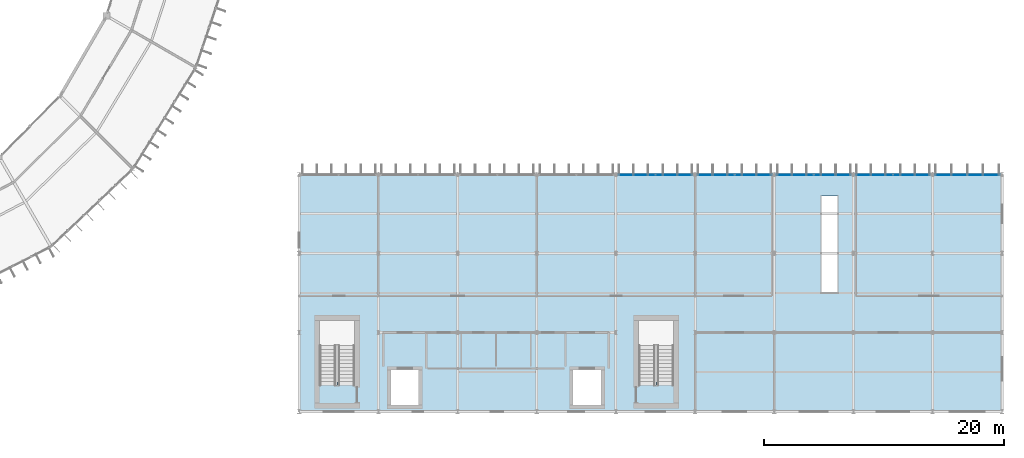
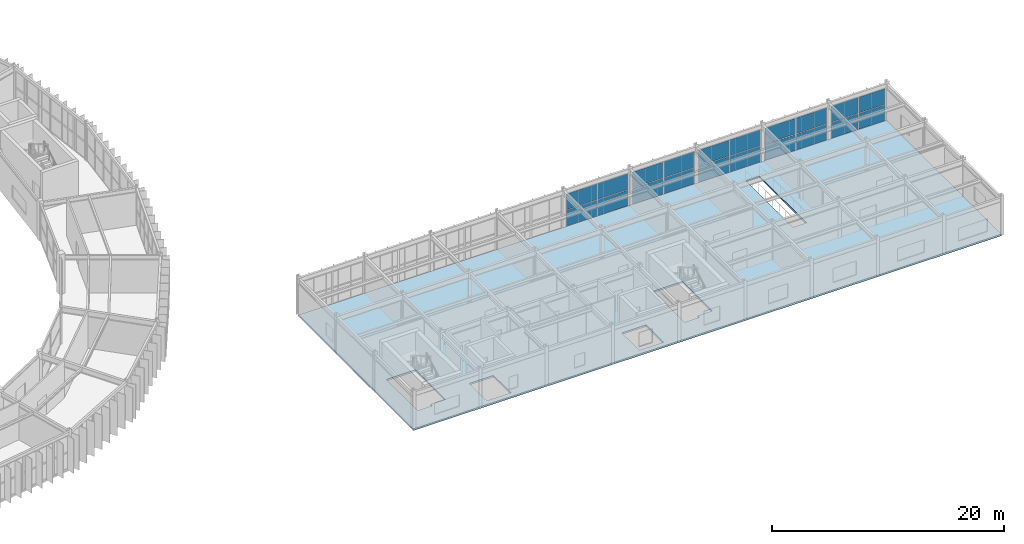
# One storey, part 96 of 130: 20 plates, 1 slab, 5 elements without a shape of their own.
"""IFC4 building model written with IfcOpenShell, lengths in metres."""

from ifc_helpers import new_model, si_unit, direction, frame, origin, origin_2d, place, context, subcontext, project, spatial, polyline, rectangle, outline, extrude, material, layer, layer_set, type_object, element, aggregate, save


model = new_model("IFC4")

# Units and contexts
model_context = context("Model", 3, precision=1e-05, world=origin(), true_north=direction((0.0, 1.0)))
body_context = subcontext(model_context, "Body", "Model", "MODEL_VIEW")
ifc_project = project(units=[si_unit("LENGTHUNIT", "METRE"), si_unit("AREAUNIT", "SQUARE_METRE"), si_unit("VOLUMEUNIT", "CUBIC_METRE"), si_unit("PLANEANGLEUNIT", "RADIAN"), si_unit("MASSUNIT", "GRAM", prefix="KILO")], contexts=[model_context])

# Site, building, storey
site_placement = place(None, origin())
site = spatial("IfcSite", under=ifc_project, at=site_placement, CompositionType="ELEMENT")
building_placement = place(site_placement, origin())
building = spatial("IfcBuilding", under=site, at=building_placement, Name="Karori Crest Natural Sciences Institute", CompositionType="ELEMENT")
storey_placement = place(building_placement, frame((0.0, 0.0, 17.5)))
storey = spatial("IfcBuildingStorey", under=building, at=storey_placement, Name="L04", CompositionType="ELEMENT", Elevation=17.5)

# Curtain wall, plates
ifc_material_1 = material(Name="Anodised architectural aluminium 6063-T6", Category="aluminium")
curtain_wall_type = type_object("IfcCurtainWallType", Name="CWT-20", PredefinedType="NOTDEFINED", material=ifc_material_1)
curtain_wall_1_placement = place(storey_placement, origin())
curtain_wall_1 = element("IfcCurtainWall", 1, at=curtain_wall_1_placement, inside=storey, type_object=curtain_wall_type, Name="Curtain wall CW-0335", PredefinedType="NOTDEFINED")
ifc_material_2 = material(Name="Double low-E laminated glass", Category="glass")
ifc_layer_1 = layer(ifc_material_2, 0.02392578125, Name="Double low-E laminated glass")
ifc_layer_set_1 = layer_set([ifc_layer_1], Name="Double low-E laminated glass")
plate_type = type_object("IfcPlateType", Name="CWP-01", PredefinedType="CURTAIN_PANEL", material=ifc_layer_set_1)
plate_1_placement = place(storey_placement, frame((131.742919921875, 20.5400390625, 0.06005859375), z_axis=(0.0, 0.0, 1.0), x_axis=(1.0, 0.0, 0.0)))
plate_1 = element("IfcPlate", 2, at=plate_1_placement, type_object=plate_type, Name="CW-0335 panel 1.1", PredefinedType="CURTAIN_PANEL", context=body_context, shape_type="SweptSolid", body=[
    extrude(rectangle(XDim=3.049072265625, YDim=0.02392578125, at=origin_2d()), origin(), (0.0, 0.0, 1.0), 1.66259765625),
])
plate_2_placement = place(storey_placement, frame((131.742919921875, 20.5400390625, 1.782470703125), z_axis=(0.0, 0.0, 1.0), x_axis=(1.0, 0.0, 0.0)))
plate_2 = element("IfcPlate", 3, at=plate_2_placement, type_object=plate_type, Name="CW-0335 panel 1.2", PredefinedType="CURTAIN_PANEL", context=body_context, shape_type="SweptSolid", body=[
    extrude(rectangle(XDim=3.049072265625, YDim=0.02392578125, at=origin_2d()), origin(), (0.0, 0.0, 1.0), 1.66259765625),
])
plate_3_placement = place(storey_placement, frame((134.85693359375, 20.5400390625, 0.06005859375), z_axis=(0.0, 0.0, 1.0), x_axis=(1.0, 0.0, 0.0)))
plate_3 = element("IfcPlate", 4, at=plate_3_placement, type_object=plate_type, Name="CW-0335 panel 2.1", PredefinedType="CURTAIN_PANEL", context=body_context, shape_type="SweptSolid", body=[
    extrude(rectangle(XDim=3.049072265625, YDim=0.02392578125, at=origin_2d()), origin(), (0.0, 0.0, 1.0), 1.66259765625),
])
plate_4_placement = place(storey_placement, frame((134.85693359375, 20.5400390625, 1.782470703125), z_axis=(0.0, 0.0, 1.0), x_axis=(1.0, 0.0, 0.0)))
plate_4 = element("IfcPlate", 5, at=plate_4_placement, type_object=plate_type, Name="CW-0335 panel 2.2", PredefinedType="CURTAIN_PANEL", context=body_context, shape_type="SweptSolid", body=[
    extrude(rectangle(XDim=3.049072265625, YDim=0.02392578125, at=origin_2d()), origin(), (0.0, 0.0, 1.0), 1.66259765625),
])
aggregate(curtain_wall_1, [plate_1, plate_2, plate_3, plate_4])

curtain_wall_2_placement = place(storey_placement, origin())
curtain_wall_2 = element("IfcCurtainWall", 6, at=curtain_wall_2_placement, inside=storey, type_object=curtain_wall_type, Name="Curtain wall CW-0336", PredefinedType="NOTDEFINED")
plate_5_placement = place(storey_placement, frame((138.343017578125, 20.5400390625, 0.06005859375), z_axis=(0.0, 0.0, 1.0), x_axis=(1.0, 0.0, 0.0)))
plate_5 = element("IfcPlate", 7, at=plate_5_placement, type_object=plate_type, Name="CW-0336 panel 1.1", PredefinedType="CURTAIN_PANEL", context=body_context, shape_type="SweptSolid", body=[
    extrude(rectangle(XDim=3.049072265625, YDim=0.02392578125, at=origin_2d()), origin(), (0.0, 0.0, 1.0), 1.66259765625),
])
plate_6_placement = place(storey_placement, frame((138.343017578125, 20.5400390625, 1.782470703125), z_axis=(0.0, 0.0, 1.0), x_axis=(1.0, 0.0, 0.0)))
plate_6 = element("IfcPlate", 8, at=plate_6_placement, type_object=plate_type, Name="CW-0336 panel 1.2", PredefinedType="CURTAIN_PANEL", context=body_context, shape_type="SweptSolid", body=[
    extrude(rectangle(XDim=3.049072265625, YDim=0.02392578125, at=origin_2d()), origin(), (0.0, 0.0, 1.0), 1.66259765625),
])
plate_7_placement = place(storey_placement, frame((141.45703125, 20.5400390625, 0.06005859375), z_axis=(0.0, 0.0, 1.0), x_axis=(1.0, 0.0, 0.0)))
plate_7 = element("IfcPlate", 9, at=plate_7_placement, type_object=plate_type, Name="CW-0336 panel 2.1", PredefinedType="CURTAIN_PANEL", context=body_context, shape_type="SweptSolid", body=[
    extrude(rectangle(XDim=3.049072265625, YDim=0.02392578125, at=origin_2d()), origin(), (0.0, 0.0, 1.0), 1.66259765625),
])
plate_8_placement = place(storey_placement, frame((141.45703125, 20.5400390625, 1.782470703125), z_axis=(0.0, 0.0, 1.0), x_axis=(1.0, 0.0, 0.0)))
plate_8 = element("IfcPlate", 10, at=plate_8_placement, type_object=plate_type, Name="CW-0336 panel 2.2", PredefinedType="CURTAIN_PANEL", context=body_context, shape_type="SweptSolid", body=[
    extrude(rectangle(XDim=3.049072265625, YDim=0.02392578125, at=origin_2d()), origin(), (0.0, 0.0, 1.0), 1.66259765625),
])
aggregate(curtain_wall_2, [plate_5, plate_6, plate_7, plate_8])

curtain_wall_3_placement = place(storey_placement, origin())
curtain_wall_3 = element("IfcCurtainWall", 11, at=curtain_wall_3_placement, inside=storey, type_object=curtain_wall_type, Name="Curtain wall CW-0337", PredefinedType="NOTDEFINED")
plate_9_placement = place(storey_placement, frame((144.943115234375, 20.5400390625, 0.06005859375), z_axis=(0.0, 0.0, 1.0), x_axis=(1.0, 0.0, 0.0)))
plate_9 = element("IfcPlate", 12, at=plate_9_placement, type_object=plate_type, Name="CW-0337 panel 1.1", PredefinedType="CURTAIN_PANEL", context=body_context, shape_type="SweptSolid", body=[
    extrude(rectangle(XDim=3.049072265625, YDim=0.02392578125, at=origin_2d()), origin(), (0.0, 0.0, 1.0), 1.66259765625),
])
plate_10_placement = place(storey_placement, frame((144.943115234375, 20.5400390625, 1.782470703125), z_axis=(0.0, 0.0, 1.0), x_axis=(1.0, 0.0, 0.0)))
plate_10 = element("IfcPlate", 13, at=plate_10_placement, type_object=plate_type, Name="CW-0337 panel 1.2", PredefinedType="CURTAIN_PANEL", context=body_context, shape_type="SweptSolid", body=[
    extrude(rectangle(XDim=3.049072265625, YDim=0.02392578125, at=origin_2d()), origin(), (0.0, 0.0, 1.0), 1.66259765625),
])
plate_11_placement = place(storey_placement, frame((148.056884765625, 20.5400390625, 0.06005859375), z_axis=(0.0, 0.0, 1.0), x_axis=(1.0, 0.0, 0.0)))
plate_11 = element("IfcPlate", 14, at=plate_11_placement, type_object=plate_type, Name="CW-0337 panel 2.1", PredefinedType="CURTAIN_PANEL", context=body_context, shape_type="SweptSolid", body=[
    extrude(rectangle(XDim=3.049072265625, YDim=0.02392578125, at=origin_2d()), origin(), (0.0, 0.0, 1.0), 1.66259765625),
])
plate_12_placement = place(storey_placement, frame((148.056884765625, 20.5400390625, 1.782470703125), z_axis=(0.0, 0.0, 1.0), x_axis=(1.0, 0.0, 0.0)))
plate_12 = element("IfcPlate", 15, at=plate_12_placement, type_object=plate_type, Name="CW-0337 panel 2.2", PredefinedType="CURTAIN_PANEL", context=body_context, shape_type="SweptSolid", body=[
    extrude(rectangle(XDim=3.049072265625, YDim=0.02392578125, at=origin_2d()), origin(), (0.0, 0.0, 1.0), 1.66259765625),
])
aggregate(curtain_wall_3, [plate_9, plate_10, plate_11, plate_12])

curtain_wall_4_placement = place(storey_placement, origin())
curtain_wall_4 = element("IfcCurtainWall", 16, at=curtain_wall_4_placement, inside=storey, type_object=curtain_wall_type, Name="Curtain wall CW-0338", PredefinedType="NOTDEFINED")
plate_13_placement = place(storey_placement, frame((151.54296875, 20.5400390625, 0.06005859375), z_axis=(0.0, 0.0, 1.0), x_axis=(1.0, 0.0, 0.0)))
plate_13 = element("IfcPlate", 17, at=plate_13_placement, type_object=plate_type, Name="CW-0338 panel 1.1", PredefinedType="CURTAIN_PANEL", context=body_context, shape_type="SweptSolid", body=[
    extrude(rectangle(XDim=3.049072265625, YDim=0.02392578125, at=origin_2d()), origin(), (0.0, 0.0, 1.0), 1.66259765625),
])
plate_14_placement = place(storey_placement, frame((151.54296875, 20.5400390625, 1.782470703125), z_axis=(0.0, 0.0, 1.0), x_axis=(1.0, 0.0, 0.0)))
plate_14 = element("IfcPlate", 18, at=plate_14_placement, type_object=plate_type, Name="CW-0338 panel 1.2", PredefinedType="CURTAIN_PANEL", context=body_context, shape_type="SweptSolid", body=[
    extrude(rectangle(XDim=3.049072265625, YDim=0.02392578125, at=origin_2d()), origin(), (0.0, 0.0, 1.0), 1.66259765625),
])
plate_15_placement = place(storey_placement, frame((154.656982421875, 20.5400390625, 0.06005859375), z_axis=(0.0, 0.0, 1.0), x_axis=(1.0, 0.0, 0.0)))
plate_15 = element("IfcPlate", 19, at=plate_15_placement, type_object=plate_type, Name="CW-0338 panel 2.1", PredefinedType="CURTAIN_PANEL", context=body_context, shape_type="SweptSolid", body=[
    extrude(rectangle(XDim=3.049072265625, YDim=0.02392578125, at=origin_2d()), origin(), (0.0, 0.0, 1.0), 1.66259765625),
])
plate_16_placement = place(storey_placement, frame((154.656982421875, 20.5400390625, 1.782470703125), z_axis=(0.0, 0.0, 1.0), x_axis=(1.0, 0.0, 0.0)))
plate_16 = element("IfcPlate", 20, at=plate_16_placement, type_object=plate_type, Name="CW-0338 panel 2.2", PredefinedType="CURTAIN_PANEL", context=body_context, shape_type="SweptSolid", body=[
    extrude(rectangle(XDim=3.049072265625, YDim=0.02392578125, at=origin_2d()), origin(), (0.0, 0.0, 1.0), 1.66259765625),
])
aggregate(curtain_wall_4, [plate_13, plate_14, plate_15, plate_16])

curtain_wall_5_placement = place(storey_placement, origin())
curtain_wall_5 = element("IfcCurtainWall", 21, at=curtain_wall_5_placement, inside=storey, type_object=curtain_wall_type, Name="Curtain wall CW-0339", PredefinedType="NOTDEFINED")
plate_17_placement = place(storey_placement, frame((157.943115234375, 20.5400390625, 0.06005859375), z_axis=(0.0, 0.0, 1.0), x_axis=(1.0, 0.0, 0.0)))
plate_17 = element("IfcPlate", 22, at=plate_17_placement, type_object=plate_type, Name="CW-0339 panel 1.1", PredefinedType="CURTAIN_PANEL", context=body_context, shape_type="SweptSolid", body=[
    extrude(rectangle(XDim=2.64892578125, YDim=0.02392578125, at=origin_2d()), origin(), (0.0, 0.0, 1.0), 1.66259765625),
])
plate_18_placement = place(storey_placement, frame((157.943115234375, 20.5400390625, 1.782470703125), z_axis=(0.0, 0.0, 1.0), x_axis=(1.0, 0.0, 0.0)))
plate_18 = element("IfcPlate", 23, at=plate_18_placement, type_object=plate_type, Name="CW-0339 panel 1.2", PredefinedType="CURTAIN_PANEL", context=body_context, shape_type="SweptSolid", body=[
    extrude(rectangle(XDim=2.64892578125, YDim=0.02392578125, at=origin_2d()), origin(), (0.0, 0.0, 1.0), 1.66259765625),
])
plate_19_placement = place(storey_placement, frame((160.656982421875, 20.5400390625, 0.06005859375), z_axis=(0.0, 0.0, 1.0), x_axis=(1.0, 0.0, 0.0)))
plate_19 = element("IfcPlate", 24, at=plate_19_placement, type_object=plate_type, Name="CW-0339 panel 2.1", PredefinedType="CURTAIN_PANEL", context=body_context, shape_type="SweptSolid", body=[
    extrude(rectangle(XDim=2.64892578125, YDim=0.02392578125, at=origin_2d()), origin(), (0.0, 0.0, 1.0), 1.66259765625),
])
plate_20_placement = place(storey_placement, frame((160.656982421875, 20.5400390625, 1.782470703125), z_axis=(0.0, 0.0, 1.0), x_axis=(1.0, 0.0, 0.0)))
plate_20 = element("IfcPlate", 25, at=plate_20_placement, type_object=plate_type, Name="CW-0339 panel 2.2", PredefinedType="CURTAIN_PANEL", context=body_context, shape_type="SweptSolid", body=[
    extrude(rectangle(XDim=2.64892578125, YDim=0.02392578125, at=origin_2d()), origin(), (0.0, 0.0, 1.0), 1.66259765625),
])
aggregate(curtain_wall_5, [plate_17, plate_18, plate_19, plate_20])

# Slab
ifc_material_3 = material(Name="Concrete 40 MPa", Category="concrete")
ifc_layer_2 = layer(ifc_material_3, 0.179931640625, Name="Concrete 40 MPa")
ifc_layer_set_2 = layer_set([ifc_layer_2], Name="Concrete 40 MPa")
slab_type = type_object("IfcSlabType", Name="SLT-09", PredefinedType="FLOOR", material=ifc_layer_set_2)
slab_placement = place(storey_placement, frame((0.0, 0.0, -0.179931640625)))
element("IfcSlab", 26, at=slab_placement, inside=storey, type_object=slab_type, Name="V5 Slab SL-0167", PredefinedType="FLOOR", context=body_context, shape_type="SweptSolid", body=[
    extrude(outline(polyline([(103.60009765625, 0.800048828125), (162.199951171875, 0.800048828125), (162.199951171875, 20.60009765625), (103.60009765625, 20.60009765625), (103.60009765625, 0.800048828125)]), holes=[polyline([(108.199951171875, 3.280029296875), (106.75, 3.280029296875), (106.75, 3.00048828125), (105.300048828125, 3.00048828125), (105.300048828125, 8.39990234375), (108.199951171875, 8.39990234375), (108.199951171875, 3.280029296875)]), polyline([(134.800048828125, 3.280029296875), (133.35009765625, 3.280029296875), (133.35009765625, 3.00048828125), (131.89990234375, 3.00048828125), (131.89990234375, 8.39990234375), (134.800048828125, 8.39990234375), (134.800048828125, 3.280029296875)]), polyline([(147.125, 18.799560546875), (148.47509765625, 18.799560546875), (148.47509765625, 10.699951171875), (147.125, 10.699951171875), (147.125, 18.799560546875)]), polyline([(111.199951171875, 4.300048828125), (113.60009765625, 4.300048828125), (113.60009765625, 1.300048828125), (111.199951171875, 1.300048828125), (111.199951171875, 4.300048828125)]), polyline([(126.39990234375, 4.300048828125), (128.800048828125, 4.300048828125), (128.800048828125, 1.300048828125), (126.39990234375, 1.300048828125), (126.39990234375, 4.300048828125)])]), origin(), (0.0, 0.0, 1.0), 0.179931640625),
])

save(model, "model.ifc")
